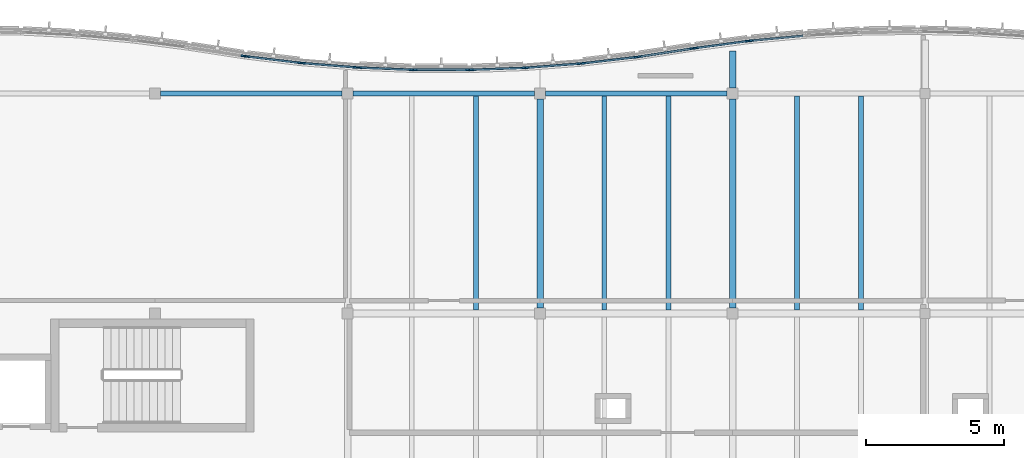
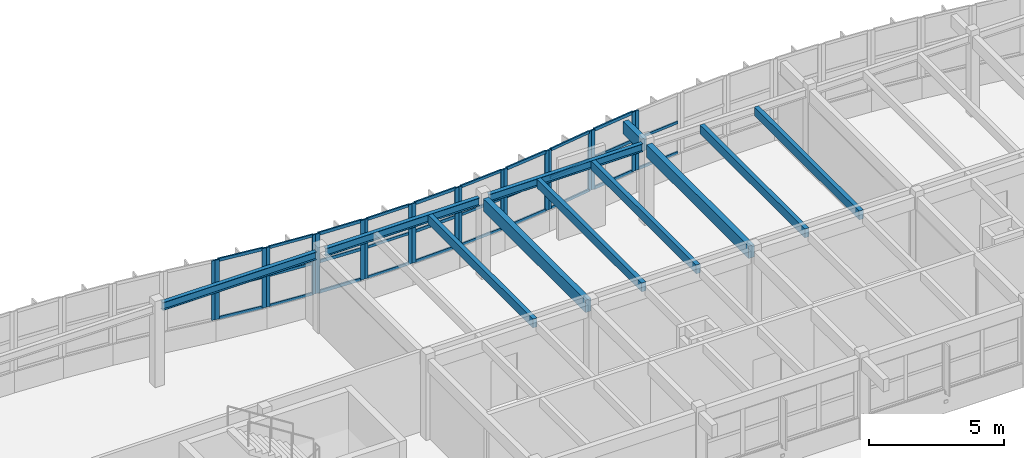
# One storey, part 25 of 63: 49 members, 11 beams, 11 elements without a shape of their own.
"""IFC4 building model written with IfcOpenShell, lengths in metres."""

from ifc_helpers import new_model, si_unit, direction, frame, origin, origin_2d, place, context, subcontext, project, spatial, rectangle, i_section, extrude, material, layer, layer_set, material_profile, profile_set, type_object, element, aggregate, save


model = new_model("IFC4")

# Units and contexts
model_context = context("Model", 3, precision=1e-05, world=origin(), true_north=direction((0.0, 1.0)))
body_context = subcontext(model_context, "Body", "Model", "MODEL_VIEW")
ifc_project = project(units=[si_unit("LENGTHUNIT", "METRE"), si_unit("AREAUNIT", "SQUARE_METRE"), si_unit("VOLUMEUNIT", "CUBIC_METRE"), si_unit("PLANEANGLEUNIT", "RADIAN"), si_unit("MASSUNIT", "GRAM", prefix="KILO")], contexts=[model_context])

# Site, building, storey
site_placement = place(None, origin())
site = spatial("IfcSite", under=ifc_project, at=site_placement, CompositionType="ELEMENT")
building_placement = place(site_placement, origin())
building = spatial("IfcBuilding", under=site, at=building_placement, Name="Tonlespit Floodbar School", CompositionType="ELEMENT")
storey_placement = place(building_placement, frame((0.0, 0.0, 8.39990234375)))
storey = spatial("IfcBuildingStorey", under=building, at=storey_placement, Name="L02", CompositionType="ELEMENT", Elevation=8.39990234375)

# Beams
ifc_material_1 = material(Name="Glulam GL28h", Category="wood")
ifc_material_profile_1 = material_profile(ifc_material_1, rectangle(XDim=0.239990234375, YDim=0.56005859375, at=origin_2d()), Name="GL 240x560")
ifc_profile_set_1 = profile_set([ifc_material_profile_1], Name="Glulam GL28h")
beam_type_1 = type_object("IfcBeamType", Name="Beam_GL_240x560", PredefinedType="BEAM", material=ifc_profile_set_1)
for number, where, z_axis, x_axis, name in (
    (1, (141.0, 112.199951171875, 3.364990234375), (0.0, 1.0, 0.0), (-1.0, 0.0, 0.0), "L02 girder 1051"),
    (2, (148.0, 112.199951171875, 3.364990234375), (0.0, 1.0, 0.0), (-1.0, 0.0, 0.0), "L02 girder 1053"),
):
    element("IfcBeam", number, at=place(storey_placement, frame(where, z_axis=z_axis, x_axis=x_axis)), inside=storey, type_object=beam_type_1, Name=name, PredefinedType="BEAM", context=body_context, shape_type="SweptSolid", body=[
        extrude(rectangle(XDim=0.239990234375, YDim=0.56005859375, at=origin_2d()), origin(), (0.0, 0.0, 1.0), 7.60009765625),
    ])
beam_placement = place(storey_placement, frame((148.0, 120.199951171875, 3.364990234375), z_axis=(0.0, 1.0, 0.0), x_axis=(-1.0, 0.0, 0.0)))
element("IfcBeam", 3, at=beam_placement, inside=storey, type_object=beam_type_1, Name="L02 north street wave cantilever bracket", PredefinedType="BEAM", context=body_context, shape_type="SweptSolid", body=[
    extrude(rectangle(XDim=0.239990234375, YDim=0.56005859375, at=origin_2d()), origin(), (0.0, 0.0, 1.0), 1.341552734375),
])

# Curtain wall, member
ifc_material_2 = material(Name="Anodised Aluminium", Category="aluminium")
ifc_layer_1 = layer(ifc_material_2, 0.159912109375)
ifc_layer_set_1 = layer_set([ifc_layer_1], Name="Anodised Aluminium")
curtain_wall_type_1 = type_object("IfcCurtainWallType", Name="CurtainWall_2000x2700", PredefinedType="NOTDEFINED", material=ifc_layer_set_1)
curtain_wall_1_placement = place(storey_placement, origin())
curtain_wall_1 = element("IfcCurtainWall", 4, at=curtain_wall_1_placement, inside=storey, type_object=curtain_wall_type_1, Name="L02 unitised curtain wall 0420", PredefinedType="NOTDEFINED")
ifc_material_profile_2 = material_profile(ifc_material_2, rectangle(XDim=0.06494140625, YDim=0.14990234375, at=origin_2d()), Name="ALU M65x150")
ifc_profile_set_2 = profile_set([ifc_material_profile_2], Name="Anodised Aluminium")
member_type_1 = type_object("IfcMemberType", Name="CW_Mullion_65x150", PredefinedType="MULLION", material=ifc_profile_set_2)
member_1_placement = place(storey_placement, frame((130.197509765625, 121.366943359375, 0.9501953125), z_axis=(0.0, 0.0, 1.0), x_axis=(0.153069003339, 0.988215502923, 0.0)))
member_1 = element("IfcMember", 5, at=member_1_placement, type_object=member_type_1, Name="CW-65 mullion 2", PredefinedType="MULLION", context=body_context, shape_type="SweptSolid", body=[
    extrude(rectangle(XDim=0.06494140625, YDim=0.14990234375, at=origin_2d()), origin(), (0.0, 0.0, 1.0), 2.699951171875),
])
aggregate(curtain_wall_1, [member_1])

# Curtain wall, members
ifc_layer_2 = layer(ifc_material_2, 0.159912109375)
ifc_layer_set_2 = layer_set([ifc_layer_2], Name="Anodised Aluminium")
curtain_wall_type_2 = type_object("IfcCurtainWallType", Name="CurtainWall_1950x2700", PredefinedType="NOTDEFINED", material=ifc_layer_set_2)
curtain_wall_2_placement = place(storey_placement, origin())
curtain_wall_2 = element("IfcCurtainWall", 6, at=curtain_wall_2_placement, inside=storey, type_object=curtain_wall_type_2, Name="L02 unitised curtain wall 0422", PredefinedType="NOTDEFINED")
member_2_placement = place(storey_placement, frame((132.3798828125, 121.104736328125, 0.9501953125), z_axis=(0.0, 0.0, 1.0), x_axis=(0.080303455856, 0.996770462533, 0.0)))
member_2 = element("IfcMember", 7, at=member_2_placement, type_object=member_type_1, Name="CW-04 mullion 1", PredefinedType="MULLION", context=body_context, shape_type="SweptSolid", body=[
    extrude(rectangle(XDim=0.06494140625, YDim=0.14990234375, at=origin_2d()), origin(), (0.0, 0.0, 1.0), 2.699951171875),
])
member_3_placement = place(storey_placement, frame((134.27392578125, 120.9521484375, 0.9501953125), z_axis=(0.0, 0.0, 1.0), x_axis=(0.080303455856, 0.996770462533, 0.0)))
member_3 = element("IfcMember", 8, at=member_3_placement, type_object=member_type_1, Name="CW-04 mullion 2", PredefinedType="MULLION", context=body_context, shape_type="SweptSolid", body=[
    extrude(rectangle(XDim=0.06494140625, YDim=0.14990234375, at=origin_2d()), origin(), (0.0, 0.0, 1.0), 2.699951171875),
])

curtain_wall_3_placement = place(storey_placement, origin())
curtain_wall_3 = element("IfcCurtainWall", 9, at=curtain_wall_3_placement, inside=storey, type_object=curtain_wall_type_2, Name="L02 unitised curtain wall 0424", PredefinedType="NOTDEFINED")
member_4_placement = place(storey_placement, frame((136.45703125, 120.8623046875, 0.9501953125), z_axis=(0.0, 0.0, 1.0), x_axis=(0.00178707909, 0.999998403173, 0.0)))
member_4 = element("IfcMember", 10, at=member_4_placement, type_object=member_type_1, Name="CW-04 mullion 1", PredefinedType="MULLION", context=body_context, shape_type="SweptSolid", body=[
    extrude(rectangle(XDim=0.06494140625, YDim=0.14990234375, at=origin_2d()), origin(), (0.0, 0.0, 1.0), 2.699951171875),
])
member_5_placement = place(storey_placement, frame((138.3505859375, 120.85888671875, 0.9501953125), z_axis=(0.0, 0.0, 1.0), x_axis=(0.00178707909, 0.999998403173, 0.0)))
member_5 = element("IfcMember", 11, at=member_5_placement, type_object=member_type_1, Name="CW-04 mullion 2", PredefinedType="MULLION", context=body_context, shape_type="SweptSolid", body=[
    extrude(rectangle(XDim=0.06494140625, YDim=0.14990234375, at=origin_2d()), origin(), (0.0, 0.0, 1.0), 2.699951171875),
])

curtain_wall_4_placement = place(storey_placement, origin())
curtain_wall_4 = element("IfcCurtainWall", 12, at=curtain_wall_4_placement, inside=storey, type_object=curtain_wall_type_2, Name="L02 unitised curtain wall 0426", PredefinedType="NOTDEFINED")
member_6_placement = place(storey_placement, frame((140.53369140625, 120.940673828125, 0.9501953125), z_axis=(0.0, 0.0, 1.0), x_axis=(-0.076509647633, 0.997068841063, 0.0)))
member_6 = element("IfcMember", 13, at=member_6_placement, type_object=member_type_1, Name="CW-04 mullion 1", PredefinedType="MULLION", context=body_context, shape_type="SweptSolid", body=[
    extrude(rectangle(XDim=0.06494140625, YDim=0.14990234375, at=origin_2d()), origin(), (0.0, 0.0, 1.0), 2.699951171875),
])
member_7_placement = place(storey_placement, frame((142.427734375, 121.0859375, 0.9501953125), z_axis=(0.0, 0.0, 1.0), x_axis=(-0.076509647633, 0.997068841063, 0.0)))
member_7 = element("IfcMember", 14, at=member_7_placement, type_object=member_type_1, Name="CW-04 mullion 2", PredefinedType="MULLION", context=body_context, shape_type="SweptSolid", body=[
    extrude(rectangle(XDim=0.06494140625, YDim=0.14990234375, at=origin_2d()), origin(), (0.0, 0.0, 1.0), 2.699951171875),
])

curtain_wall_5_placement = place(storey_placement, origin())
curtain_wall_5 = element("IfcCurtainWall", 15, at=curtain_wall_5_placement, inside=storey, type_object=curtain_wall_type_1, Name="L02 unitised curtain wall 0428", PredefinedType="NOTDEFINED")
member_8_placement = place(storey_placement, frame((144.610107421875, 121.340087890625, 0.9501953125), z_axis=(0.0, 0.0, 1.0), x_axis=(-0.151837325017, 0.988405497117, 0.0)))
member_8 = element("IfcMember", 16, at=member_8_placement, type_object=member_type_1, Name="CW-65 mullion 1", PredefinedType="MULLION", context=body_context, shape_type="SweptSolid", body=[
    extrude(rectangle(XDim=0.06494140625, YDim=0.14990234375, at=origin_2d()), origin(), (0.0, 0.0, 1.0), 2.699951171875),
])
member_9_placement = place(storey_placement, frame((146.50537109375, 121.63134765625, 0.9501953125), z_axis=(0.0, 0.0, 1.0), x_axis=(-0.151837325017, 0.988405497117, 0.0)))
member_9 = element("IfcMember", 17, at=member_9_placement, type_object=member_type_1, Name="CW-65 mullion 2", PredefinedType="MULLION", context=body_context, shape_type="SweptSolid", body=[
    extrude(rectangle(XDim=0.06494140625, YDim=0.14990234375, at=origin_2d()), origin(), (0.0, 0.0, 1.0), 2.699951171875),
])

# Curtain wall, member
curtain_wall_6_placement = place(storey_placement, origin())
curtain_wall_6 = element("IfcCurtainWall", 18, at=curtain_wall_6_placement, inside=storey, type_object=curtain_wall_type_2, Name="L02 unitised curtain wall 0430", PredefinedType="NOTDEFINED")
member_10_placement = place(storey_placement, frame((148.6875, 121.922119140625, 0.9501953125), z_axis=(0.0, 0.0, 1.0), x_axis=(-0.093624118246, 0.995607615721, 0.0)))
member_10 = element("IfcMember", 19, at=member_10_placement, type_object=member_type_1, Name="CW-04 mullion 1", PredefinedType="MULLION", context=body_context, shape_type="SweptSolid", body=[
    extrude(rectangle(XDim=0.06494140625, YDim=0.14990234375, at=origin_2d()), origin(), (0.0, 0.0, 1.0), 2.699951171875),
])

# Curtain wall, members
curtain_wall_7_placement = place(storey_placement, origin())
curtain_wall_7 = element("IfcCurtainWall", 20, at=curtain_wall_7_placement, inside=storey, type_object=curtain_wall_type_2, Name="L02 unitised curtain wall 0421", PredefinedType="NOTDEFINED")
ifc_material_profile_3 = material_profile(ifc_material_2, rectangle(XDim=0.06494140625, YDim=0.179931640625, at=origin_2d()), Name="ALU M65x180")
ifc_profile_set_3 = profile_set([ifc_material_profile_3], Name="Anodised Aluminium")
member_type_2 = type_object("IfcMemberType", Name="CW_Mullion_65x180", PredefinedType="MULLION", material=ifc_profile_set_3)
member_11_placement = place(storey_placement, frame((130.341064453125, 121.34716796875, 0.9501953125), z_axis=(0.0, 0.0, 1.0), x_axis=(0.119448965651, 0.992840341951, 0.0)))
member_11 = element("IfcMember", 21, at=member_11_placement, type_object=member_type_2, Name="CW-04 mullion 1", PredefinedType="MULLION", context=body_context, shape_type="SweptSolid", body=[
    extrude(rectangle(XDim=0.06494140625, YDim=0.179931640625, at=origin_2d()), origin(), (0.0, 0.0, 1.0), 2.699951171875),
])
member_12_placement = place(storey_placement, frame((132.23583984375, 121.119140625, 0.9501953125), z_axis=(0.0, 0.0, 1.0), x_axis=(0.119448965651, 0.992840341951, 0.0)))
member_12 = element("IfcMember", 22, at=member_12_placement, type_object=member_type_2, Name="CW-04 mullion 2", PredefinedType="MULLION", context=body_context, shape_type="SweptSolid", body=[
    extrude(rectangle(XDim=0.06494140625, YDim=0.179931640625, at=origin_2d()), origin(), (0.0, 0.0, 1.0), 2.699951171875),
])

curtain_wall_8_placement = place(storey_placement, origin())
curtain_wall_8 = element("IfcCurtainWall", 23, at=curtain_wall_8_placement, inside=storey, type_object=curtain_wall_type_2, Name="L02 unitised curtain wall 0423", PredefinedType="NOTDEFINED")
member_13_placement = place(storey_placement, frame((134.418701171875, 120.943359375, 0.9501953125), z_axis=(0.0, 0.0, 1.0), x_axis=(0.041121234506, 0.999154164317, 0.0)))
member_13 = element("IfcMember", 24, at=member_13_placement, type_object=member_type_2, Name="CW-04 mullion 1", PredefinedType="MULLION", context=body_context, shape_type="SweptSolid", body=[
    extrude(rectangle(XDim=0.06494140625, YDim=0.179931640625, at=origin_2d()), origin(), (0.0, 0.0, 1.0), 2.699951171875),
])
member_14_placement = place(storey_placement, frame((136.31201171875, 120.865478515625, 0.9501953125), z_axis=(0.0, 0.0, 1.0), x_axis=(0.041121234506, 0.999154164317, 0.0)))
member_14 = element("IfcMember", 25, at=member_14_placement, type_object=member_type_2, Name="CW-04 mullion 2", PredefinedType="MULLION", context=body_context, shape_type="SweptSolid", body=[
    extrude(rectangle(XDim=0.06494140625, YDim=0.179931640625, at=origin_2d()), origin(), (0.0, 0.0, 1.0), 2.699951171875),
])

curtain_wall_9_placement = place(storey_placement, origin())
curtain_wall_9 = element("IfcCurtainWall", 26, at=curtain_wall_9_placement, inside=storey, type_object=curtain_wall_type_2, Name="L02 unitised curtain wall 0425", PredefinedType="NOTDEFINED")
member_15_placement = place(storey_placement, frame((138.49560546875, 120.861572265625, 0.9501953125), z_axis=(0.0, 0.0, 1.0), x_axis=(-0.037351368782, 0.999302194159, 0.0)))
member_15 = element("IfcMember", 27, at=member_15_placement, type_object=member_type_2, Name="CW-04 mullion 1", PredefinedType="MULLION", context=body_context, shape_type="SweptSolid", body=[
    extrude(rectangle(XDim=0.06494140625, YDim=0.179931640625, at=origin_2d()), origin(), (0.0, 0.0, 1.0), 2.699951171875),
])
member_16_placement = place(storey_placement, frame((140.388916015625, 120.932373046875, 0.9501953125), z_axis=(0.0, 0.0, 1.0), x_axis=(-0.037351368782, 0.999302194159, 0.0)))
member_16 = element("IfcMember", 28, at=member_16_placement, type_object=member_type_2, Name="CW-04 mullion 2", PredefinedType="MULLION", context=body_context, shape_type="SweptSolid", body=[
    extrude(rectangle(XDim=0.06494140625, YDim=0.179931640625, at=origin_2d()), origin(), (0.0, 0.0, 1.0), 2.699951171875),
])

curtain_wall_10_placement = place(storey_placement, origin())
curtain_wall_10 = element("IfcCurtainWall", 29, at=curtain_wall_10_placement, inside=storey, type_object=curtain_wall_type_2, Name="L02 unitised curtain wall 0427", PredefinedType="NOTDEFINED")
member_17_placement = place(storey_placement, frame((142.572021484375, 121.099853515625, 0.9501953125), z_axis=(0.0, 0.0, 1.0), x_axis=(-0.115799834112, 0.993272570053, 0.0)))
member_17 = element("IfcMember", 30, at=member_17_placement, type_object=member_type_2, Name="CW-04 mullion 1", PredefinedType="MULLION", context=body_context, shape_type="SweptSolid", body=[
    extrude(rectangle(XDim=0.06494140625, YDim=0.179931640625, at=origin_2d()), origin(), (0.0, 0.0, 1.0), 2.699951171875),
])
member_18_placement = place(storey_placement, frame((144.466552734375, 121.32080078125, 0.9501953125), z_axis=(0.0, 0.0, 1.0), x_axis=(-0.115799834112, 0.993272570053, 0.0)))
member_18 = element("IfcMember", 31, at=member_18_placement, type_object=member_type_2, Name="CW-04 mullion 2", PredefinedType="MULLION", context=body_context, shape_type="SweptSolid", body=[
    extrude(rectangle(XDim=0.06494140625, YDim=0.179931640625, at=origin_2d()), origin(), (0.0, 0.0, 1.0), 2.699951171875),
])

curtain_wall_11_placement = place(storey_placement, origin())
curtain_wall_11 = element("IfcCurtainWall", 32, at=curtain_wall_11_placement, inside=storey, type_object=curtain_wall_type_1, Name="L02 unitised curtain wall 0429", PredefinedType="NOTDEFINED")
member_19_placement = place(storey_placement, frame((146.648681640625, 121.65185546875, 0.9501953125), z_axis=(0.0, 0.0, 1.0), x_axis=(-0.132789951994, 0.991144201743, 0.0)))
member_19 = element("IfcMember", 33, at=member_19_placement, type_object=member_type_2, Name="CW-65 mullion 1", PredefinedType="MULLION", context=body_context, shape_type="SweptSolid", body=[
    extrude(rectangle(XDim=0.06494140625, YDim=0.179931640625, at=origin_2d()), origin(), (0.0, 0.0, 1.0), 2.699951171875),
])
member_20_placement = place(storey_placement, frame((148.543701171875, 121.90576171875, 0.9501953125), z_axis=(0.0, 0.0, 1.0), x_axis=(-0.132789951994, 0.991144201743, 0.0)))
member_20 = element("IfcMember", 34, at=member_20_placement, type_object=member_type_2, Name="CW-65 mullion 2", PredefinedType="MULLION", context=body_context, shape_type="SweptSolid", body=[
    extrude(rectangle(XDim=0.06494140625, YDim=0.179931640625, at=origin_2d()), origin(), (0.0, 0.0, 1.0), 2.699951171875),
])

# Member
ifc_material_profile_4 = material_profile(ifc_material_2, rectangle(XDim=0.06494140625, YDim=0.1201171875, at=origin_2d()), Name="ALU T65x120")
ifc_profile_set_4 = profile_set([ifc_material_profile_4], Name="Anodised Aluminium")
member_type_3 = type_object("IfcMemberType", Name="CW_Transom_65x120", PredefinedType="USERDEFINED", material=ifc_profile_set_4)
member_21_placement = place(storey_placement, frame((132.412353515625, 121.10205078125, 0.982666015625), z_axis=(0.996776665923, -0.080226418787, 0.0), x_axis=(0.080226418787, 0.996776665923, 0.0)))
member_21 = element("IfcMember", 35, at=member_21_placement, type_object=member_type_3, Name="CW-04 transom 1.1", ObjectType="TRANSOM", PredefinedType="USERDEFINED", context=body_context, shape_type="SweptSolid", body=[
    extrude(rectangle(XDim=0.06494140625, YDim=0.1201171875, at=origin_2d()), origin(), (0.0, 0.0, 1.0), 1.8349609375),
])

member_22_placement = place(storey_placement, frame((132.412353515625, 121.10205078125, 2.35400390625), z_axis=(0.996776665923, -0.080226418787, 0.0), x_axis=(0.080226418787, 0.996776665923, 0.0)))
member_22 = element("IfcMember", 36, at=member_22_placement, type_object=member_type_3, Name="CW-04 transom 1.2", ObjectType="TRANSOM", PredefinedType="USERDEFINED", context=body_context, shape_type="SweptSolid", body=[
    extrude(rectangle(XDim=0.06494140625, YDim=0.1201171875, at=origin_2d()), origin(), (0.0, 0.0, 1.0), 1.8349609375),
])

member_23_placement = place(storey_placement, frame((132.412353515625, 121.10205078125, 3.61767578125), z_axis=(0.996776665923, -0.080226418787, 0.0), x_axis=(0.080226418787, 0.996776665923, 0.0)))
member_23 = element("IfcMember", 37, at=member_23_placement, type_object=member_type_3, Name="CW-04 transom 1.3", ObjectType="TRANSOM", PredefinedType="USERDEFINED", context=body_context, shape_type="SweptSolid", body=[
    extrude(rectangle(XDim=0.06494140625, YDim=0.1201171875, at=origin_2d()), origin(), (0.0, 0.0, 1.0), 1.8349609375),
])

aggregate(curtain_wall_2, [member_2, member_3, member_21, member_22, member_23])

member_24_placement = place(storey_placement, frame((136.489501953125, 120.8623046875, 0.982666015625), z_axis=(0.999998493767, -0.001735644916, 0.0), x_axis=(0.001735644916, 0.999998493767, 0.0)))
member_24 = element("IfcMember", 38, at=member_24_placement, type_object=member_type_3, Name="CW-04 transom 1.1", ObjectType="TRANSOM", PredefinedType="USERDEFINED", context=body_context, shape_type="SweptSolid", body=[
    extrude(rectangle(XDim=0.06494140625, YDim=0.1201171875, at=origin_2d()), origin(), (0.0, 0.0, 1.0), 1.82861328125),
])

member_25_placement = place(storey_placement, frame((136.489501953125, 120.8623046875, 2.35400390625), z_axis=(0.999998493767, -0.001735644916, 0.0), x_axis=(0.001735644916, 0.999998493767, 0.0)))
member_25 = element("IfcMember", 39, at=member_25_placement, type_object=member_type_3, Name="CW-04 transom 1.2", ObjectType="TRANSOM", PredefinedType="USERDEFINED", context=body_context, shape_type="SweptSolid", body=[
    extrude(rectangle(XDim=0.06494140625, YDim=0.1201171875, at=origin_2d()), origin(), (0.0, 0.0, 1.0), 1.82861328125),
])

member_26_placement = place(storey_placement, frame((136.489501953125, 120.8623046875, 3.61767578125), z_axis=(0.999998493767, -0.001735644916, 0.0), x_axis=(0.001735644916, 0.999998493767, 0.0)))
member_26 = element("IfcMember", 40, at=member_26_placement, type_object=member_type_3, Name="CW-04 transom 1.3", ObjectType="TRANSOM", PredefinedType="USERDEFINED", context=body_context, shape_type="SweptSolid", body=[
    extrude(rectangle(XDim=0.06494140625, YDim=0.1201171875, at=origin_2d()), origin(), (0.0, 0.0, 1.0), 1.82861328125),
])

aggregate(curtain_wall_3, [member_4, member_5, member_24, member_25, member_26])

member_27_placement = place(storey_placement, frame((140.566162109375, 120.943115234375, 0.982666015625), z_axis=(0.997067778924, 0.076523488105, 0.0), x_axis=(-0.076523488105, 0.997067778924, 0.0)))
member_27 = element("IfcMember", 41, at=member_27_placement, type_object=member_type_3, Name="CW-04 transom 1.1", ObjectType="TRANSOM", PredefinedType="USERDEFINED", context=body_context, shape_type="SweptSolid", body=[
    extrude(rectangle(XDim=0.06494140625, YDim=0.1201171875, at=origin_2d()), origin(), (0.0, 0.0, 1.0), 1.83447265625),
])

member_28_placement = place(storey_placement, frame((140.566162109375, 120.943115234375, 2.35400390625), z_axis=(0.997067778924, 0.076523488105, 0.0), x_axis=(-0.076523488105, 0.997067778924, 0.0)))
member_28 = element("IfcMember", 42, at=member_28_placement, type_object=member_type_3, Name="CW-04 transom 1.2", ObjectType="TRANSOM", PredefinedType="USERDEFINED", context=body_context, shape_type="SweptSolid", body=[
    extrude(rectangle(XDim=0.06494140625, YDim=0.1201171875, at=origin_2d()), origin(), (0.0, 0.0, 1.0), 1.83447265625),
])

member_29_placement = place(storey_placement, frame((140.566162109375, 120.943115234375, 3.61767578125), z_axis=(0.997067778924, 0.076523488105, 0.0), x_axis=(-0.076523488105, 0.997067778924, 0.0)))
member_29 = element("IfcMember", 43, at=member_29_placement, type_object=member_type_3, Name="CW-04 transom 1.3", ObjectType="TRANSOM", PredefinedType="USERDEFINED", context=body_context, shape_type="SweptSolid", body=[
    extrude(rectangle(XDim=0.06494140625, YDim=0.1201171875, at=origin_2d()), origin(), (0.0, 0.0, 1.0), 1.83447265625),
])

aggregate(curtain_wall_4, [member_6, member_7, member_27, member_28, member_29])

member_30_placement = place(storey_placement, frame((144.642333984375, 121.344970703125, 0.982666015625), z_axis=(0.988405196274, 0.151839283385, 0.0), x_axis=(-0.151839283385, 0.988405196274, 0.0)))
member_30 = element("IfcMember", 44, at=member_30_placement, type_object=member_type_3, Name="CW-65 transom 1.1", ObjectType="TRANSOM", PredefinedType="USERDEFINED", context=body_context, shape_type="SweptSolid", body=[
    extrude(rectangle(XDim=0.06494140625, YDim=0.1201171875, at=origin_2d()), origin(), (0.0, 0.0, 1.0), 1.852294921875),
])

member_31_placement = place(storey_placement, frame((144.642333984375, 121.344970703125, 2.35400390625), z_axis=(0.988405196274, 0.151839283385, 0.0), x_axis=(-0.151839283385, 0.988405196274, 0.0)))
member_31 = element("IfcMember", 45, at=member_31_placement, type_object=member_type_3, Name="CW-65 transom 1.2", ObjectType="TRANSOM", PredefinedType="USERDEFINED", context=body_context, shape_type="SweptSolid", body=[
    extrude(rectangle(XDim=0.06494140625, YDim=0.1201171875, at=origin_2d()), origin(), (0.0, 0.0, 1.0), 1.852294921875),
])

member_32_placement = place(storey_placement, frame((144.642333984375, 121.344970703125, 3.61767578125), z_axis=(0.988405196274, 0.151839283385, 0.0), x_axis=(-0.151839283385, 0.988405196274, 0.0)))
member_32 = element("IfcMember", 46, at=member_32_placement, type_object=member_type_3, Name="CW-65 transom 1.3", ObjectType="TRANSOM", PredefinedType="USERDEFINED", context=body_context, shape_type="SweptSolid", body=[
    extrude(rectangle(XDim=0.06494140625, YDim=0.1201171875, at=origin_2d()), origin(), (0.0, 0.0, 1.0), 1.852294921875),
])

aggregate(curtain_wall_5, [member_8, member_9, member_30, member_31, member_32])

member_33_placement = place(storey_placement, frame((148.719970703125, 121.92529296875, 0.982666015625), z_axis=(0.995615297315, 0.093542395477, 0.0), x_axis=(-0.093542395477, 0.995615297315, 0.0)))
member_33 = element("IfcMember", 47, at=member_33_placement, type_object=member_type_3, Name="CW-04 transom 1.1", ObjectType="TRANSOM", PredefinedType="USERDEFINED", context=body_context, shape_type="SweptSolid", body=[
    extrude(rectangle(XDim=0.06494140625, YDim=0.1201171875, at=origin_2d()), origin(), (0.0, 0.0, 1.0), 1.83740234375),
])

member_34_placement = place(storey_placement, frame((148.719970703125, 121.92529296875, 2.35400390625), z_axis=(0.995615297315, 0.093542395477, 0.0), x_axis=(-0.093542395477, 0.995615297315, 0.0)))
member_34 = element("IfcMember", 48, at=member_34_placement, type_object=member_type_3, Name="CW-04 transom 1.2", ObjectType="TRANSOM", PredefinedType="USERDEFINED", context=body_context, shape_type="SweptSolid", body=[
    extrude(rectangle(XDim=0.06494140625, YDim=0.1201171875, at=origin_2d()), origin(), (0.0, 0.0, 1.0), 1.83740234375),
])

aggregate(curtain_wall_6, [member_10, member_33, member_34])

ifc_material_profile_5 = material_profile(ifc_material_2, rectangle(XDim=0.06494140625, YDim=0.139892578125, at=origin_2d()), Name="ALU T65x140")
ifc_profile_set_5 = profile_set([ifc_material_profile_5], Name="Anodised Aluminium")
member_type_4 = type_object("IfcMemberType", Name="CW_Transom_65x140", PredefinedType="USERDEFINED", material=ifc_profile_set_5)
member_35_placement = place(storey_placement, frame((130.37353515625, 121.34326171875, 0.982666015625), z_axis=(0.9928360376, -0.11948473728, 0.0), x_axis=(0.11948473728, 0.9928360376, 0.0)))
member_35 = element("IfcMember", 49, at=member_35_placement, type_object=member_type_4, Name="CW-04 transom 1.1", ObjectType="TRANSOM", PredefinedType="USERDEFINED", context=body_context, shape_type="SweptSolid", body=[
    extrude(rectangle(XDim=0.06494140625, YDim=0.139892578125, at=origin_2d()), origin(), (0.0, 0.0, 1.0), 1.843017578125),
])

member_36_placement = place(storey_placement, frame((130.37353515625, 121.34326171875, 2.35400390625), z_axis=(0.9928360376, -0.11948473728, 0.0), x_axis=(0.11948473728, 0.9928360376, 0.0)))
member_36 = element("IfcMember", 50, at=member_36_placement, type_object=member_type_4, Name="CW-04 transom 1.2", ObjectType="TRANSOM", PredefinedType="USERDEFINED", context=body_context, shape_type="SweptSolid", body=[
    extrude(rectangle(XDim=0.06494140625, YDim=0.139892578125, at=origin_2d()), origin(), (0.0, 0.0, 1.0), 1.843017578125),
])

member_37_placement = place(storey_placement, frame((130.37353515625, 121.34326171875, 3.61767578125), z_axis=(0.9928360376, -0.11948473728, 0.0), x_axis=(0.11948473728, 0.9928360376, 0.0)))
member_37 = element("IfcMember", 51, at=member_37_placement, type_object=member_type_4, Name="CW-04 transom 1.3", ObjectType="TRANSOM", PredefinedType="USERDEFINED", context=body_context, shape_type="SweptSolid", body=[
    extrude(rectangle(XDim=0.06494140625, YDim=0.139892578125, at=origin_2d()), origin(), (0.0, 0.0, 1.0), 1.843017578125),
])

aggregate(curtain_wall_7, [member_11, member_12, member_35, member_36, member_37])

member_38_placement = place(storey_placement, frame((134.451171875, 120.942138671875, 0.982666015625), z_axis=(0.999149870245, -0.041225438631, 0.0), x_axis=(0.041225438631, 0.999149870245, 0.0)))
member_38 = element("IfcMember", 52, at=member_38_placement, type_object=member_type_4, Name="CW-04 transom 1.1", ObjectType="TRANSOM", PredefinedType="USERDEFINED", context=body_context, shape_type="SweptSolid", body=[
    extrude(rectangle(XDim=0.06494140625, YDim=0.139892578125, at=origin_2d()), origin(), (0.0, 0.0, 1.0), 1.829833984375),
])

member_39_placement = place(storey_placement, frame((134.451171875, 120.942138671875, 2.35400390625), z_axis=(0.999149870245, -0.041225438631, 0.0), x_axis=(0.041225438631, 0.999149870245, 0.0)))
member_39 = element("IfcMember", 53, at=member_39_placement, type_object=member_type_4, Name="CW-04 transom 1.2", ObjectType="TRANSOM", PredefinedType="USERDEFINED", context=body_context, shape_type="SweptSolid", body=[
    extrude(rectangle(XDim=0.06494140625, YDim=0.139892578125, at=origin_2d()), origin(), (0.0, 0.0, 1.0), 1.829833984375),
])

member_40_placement = place(storey_placement, frame((134.451171875, 120.942138671875, 3.61767578125), z_axis=(0.999149870245, -0.041225438631, 0.0), x_axis=(0.041225438631, 0.999149870245, 0.0)))
member_40 = element("IfcMember", 54, at=member_40_placement, type_object=member_type_4, Name="CW-04 transom 1.3", ObjectType="TRANSOM", PredefinedType="USERDEFINED", context=body_context, shape_type="SweptSolid", body=[
    extrude(rectangle(XDim=0.06494140625, YDim=0.139892578125, at=origin_2d()), origin(), (0.0, 0.0, 1.0), 1.829833984375),
])

aggregate(curtain_wall_8, [member_13, member_14, member_38, member_39, member_40])

member_41_placement = place(storey_placement, frame((138.528076171875, 120.86279296875, 0.982666015625), z_axis=(0.999301794316, 0.037362064683, 0.0), x_axis=(-0.037362064683, 0.999301794316, 0.0)))
member_41 = element("IfcMember", 55, at=member_41_placement, type_object=member_type_4, Name="CW-04 transom 1.1", ObjectType="TRANSOM", PredefinedType="USERDEFINED", context=body_context, shape_type="SweptSolid", body=[
    extrude(rectangle(XDim=0.06494140625, YDim=0.139892578125, at=origin_2d()), origin(), (0.0, 0.0, 1.0), 1.82958984375),
])

member_42_placement = place(storey_placement, frame((138.528076171875, 120.86279296875, 2.35400390625), z_axis=(0.999301794316, 0.037362064683, 0.0), x_axis=(-0.037362064683, 0.999301794316, 0.0)))
member_42 = element("IfcMember", 56, at=member_42_placement, type_object=member_type_4, Name="CW-04 transom 1.2", ObjectType="TRANSOM", PredefinedType="USERDEFINED", context=body_context, shape_type="SweptSolid", body=[
    extrude(rectangle(XDim=0.06494140625, YDim=0.139892578125, at=origin_2d()), origin(), (0.0, 0.0, 1.0), 1.82958984375),
])

member_43_placement = place(storey_placement, frame((138.528076171875, 120.86279296875, 3.61767578125), z_axis=(0.999301794316, 0.037362064683, 0.0), x_axis=(-0.037362064683, 0.999301794316, 0.0)))
member_43 = element("IfcMember", 57, at=member_43_placement, type_object=member_type_4, Name="CW-04 transom 1.3", ObjectType="TRANSOM", PredefinedType="USERDEFINED", context=body_context, shape_type="SweptSolid", body=[
    extrude(rectangle(XDim=0.06494140625, YDim=0.139892578125, at=origin_2d()), origin(), (0.0, 0.0, 1.0), 1.82958984375),
])

aggregate(curtain_wall_9, [member_15, member_16, member_41, member_42, member_43])

member_44_placement = place(storey_placement, frame((142.604248046875, 121.103515625, 0.982666015625), z_axis=(0.993271270795, 0.115810977945, 0.0), x_axis=(-0.115810977945, 0.993271270795, 0.0)))
member_44 = element("IfcMember", 58, at=member_44_placement, type_object=member_type_4, Name="CW-04 transom 1.1", ObjectType="TRANSOM", PredefinedType="USERDEFINED", context=body_context, shape_type="SweptSolid", body=[
    extrude(rectangle(XDim=0.06494140625, YDim=0.139892578125, at=origin_2d()), origin(), (0.0, 0.0, 1.0), 1.842529296875),
])

member_45_placement = place(storey_placement, frame((142.604248046875, 121.103515625, 2.35400390625), z_axis=(0.993271270795, 0.115810977945, 0.0), x_axis=(-0.115810977945, 0.993271270795, 0.0)))
member_45 = element("IfcMember", 59, at=member_45_placement, type_object=member_type_4, Name="CW-04 transom 1.2", ObjectType="TRANSOM", PredefinedType="USERDEFINED", context=body_context, shape_type="SweptSolid", body=[
    extrude(rectangle(XDim=0.06494140625, YDim=0.139892578125, at=origin_2d()), origin(), (0.0, 0.0, 1.0), 1.842529296875),
])

member_46_placement = place(storey_placement, frame((142.604248046875, 121.103515625, 3.61767578125), z_axis=(0.993271270795, 0.115810977945, 0.0), x_axis=(-0.115810977945, 0.993271270795, 0.0)))
member_46 = element("IfcMember", 60, at=member_46_placement, type_object=member_type_4, Name="CW-04 transom 1.3", ObjectType="TRANSOM", PredefinedType="USERDEFINED", context=body_context, shape_type="SweptSolid", body=[
    extrude(rectangle(XDim=0.06494140625, YDim=0.139892578125, at=origin_2d()), origin(), (0.0, 0.0, 1.0), 1.842529296875),
])

aggregate(curtain_wall_10, [member_17, member_18, member_44, member_45, member_46])

member_47_placement = place(storey_placement, frame((146.680908203125, 121.65625, 0.982666015625), z_axis=(0.991153858424, 0.132717854609, 0.0), x_axis=(-0.132717854609, 0.991153858424, 0.0)))
member_47 = element("IfcMember", 61, at=member_47_placement, type_object=member_type_4, Name="CW-65 transom 1.1", ObjectType="TRANSOM", PredefinedType="USERDEFINED", context=body_context, shape_type="SweptSolid", body=[
    extrude(rectangle(XDim=0.06494140625, YDim=0.139892578125, at=origin_2d()), origin(), (0.0, 0.0, 1.0), 1.846923828125),
])

member_48_placement = place(storey_placement, frame((146.680908203125, 121.65625, 2.35400390625), z_axis=(0.991153858424, 0.132717854609, 0.0), x_axis=(-0.132717854609, 0.991153858424, 0.0)))
member_48 = element("IfcMember", 62, at=member_48_placement, type_object=member_type_4, Name="CW-65 transom 1.2", ObjectType="TRANSOM", PredefinedType="USERDEFINED", context=body_context, shape_type="SweptSolid", body=[
    extrude(rectangle(XDim=0.06494140625, YDim=0.139892578125, at=origin_2d()), origin(), (0.0, 0.0, 1.0), 1.846923828125),
])

member_49_placement = place(storey_placement, frame((146.680908203125, 121.65625, 3.61767578125), z_axis=(0.991153858424, 0.132717854609, 0.0), x_axis=(-0.132717854609, 0.991153858424, 0.0)))
member_49 = element("IfcMember", 63, at=member_49_placement, type_object=member_type_4, Name="CW-65 transom 1.3", ObjectType="TRANSOM", PredefinedType="USERDEFINED", context=body_context, shape_type="SweptSolid", body=[
    extrude(rectangle(XDim=0.06494140625, YDim=0.139892578125, at=origin_2d()), origin(), (0.0, 0.0, 1.0), 1.846923828125),
])

aggregate(curtain_wall_11, [member_19, member_20, member_47, member_48, member_49])

# Beams
ifc_material_profile_6 = material_profile(ifc_material_1, rectangle(XDim=0.179931640625, YDim=0.39990234375, at=origin_2d()), Name="GL 180x400")
ifc_profile_set_6 = profile_set([ifc_material_profile_6], Name="Glulam GL28h")
beam_type_2 = type_object("IfcBeamType", Name="Joist_GL_180x400", PredefinedType="JOIST", material=ifc_profile_set_6)
for number, where, z_axis, x_axis, name in (
    (64, (138.666748046875, 112.1201171875, 3.445068359375), (0.0, 1.0, 0.0), (-1.0, 0.0, 0.0), "L02 secondary joist 1134"),
    (65, (143.333251953125, 112.1201171875, 3.445068359375), (0.0, 1.0, 0.0), (-1.0, 0.0, 0.0), "L02 secondary joist 1135"),
    (66, (145.666748046875, 112.1201171875, 3.445068359375), (0.0, 1.0, 0.0), (-1.0, 0.0, 0.0), "L02 secondary joist 1136"),
    (67, (150.333251953125, 112.1201171875, 3.445068359375), (0.0, 1.0, 0.0), (-1.0, 0.0, 0.0), "L02 secondary joist 1137"),
    (68, (152.666748046875, 112.1201171875, 3.445068359375), (0.0, 1.0, 0.0), (-1.0, 0.0, 0.0), "L02 secondary joist 1138"),
):
    element("IfcBeam", number, at=place(storey_placement, frame(where, z_axis=z_axis, x_axis=x_axis)), inside=storey, type_object=beam_type_2, Name=name, PredefinedType="JOIST", context=body_context, shape_type="SweptSolid", body=[
        extrude(rectangle(XDim=0.179931640625, YDim=0.39990234375, at=origin_2d()), origin(), (0.0, 0.0, 1.0), 7.794921875),
    ])
ifc_material_3 = material(Name="Steel S355", Category="steel")
ifc_material_profile_7 = material_profile(ifc_material_3, i_section(OverallWidth=0.169921875, OverallDepth=0.360107421875, WebThickness=0.008056640625, FlangeThickness=0.0126953125, at=origin_2d()), Name="IPE 360")
ifc_profile_set_7 = profile_set([ifc_material_profile_7], Name="Steel S355")
beam_type_3 = type_object("IfcBeamType", Name="Spandrel_STL_IPE360", PredefinedType="SPANDREL", material=ifc_profile_set_7)
for number, where, z_axis, x_axis, name in (
    (69, (127.199951171875, 120.0, 3.465087890625), (1.0, 0.0, 0.0), (0.0, 1.0, 0.0), "L02 girder 0992"),
    (70, (134.199951171875, 120.0, 3.465087890625), (1.0, 0.0, 0.0), (0.0, 1.0, 0.0), "L02 girder 0993"),
    (71, (141.199951171875, 120.0, 3.465087890625), (1.0, 0.0, 0.0), (0.0, 1.0, 0.0), "L02 girder 0994"),
):
    element("IfcBeam", number, at=place(storey_placement, frame(where, z_axis=z_axis, x_axis=x_axis)), inside=storey, type_object=beam_type_3, Name=name, PredefinedType="SPANDREL", context=body_context, shape_type="SweptSolid", body=[
        extrude(i_section(OverallWidth=0.169921875, OverallDepth=0.360107421875, WebThickness=0.008056640625, FlangeThickness=0.0126953125, at=origin_2d()), origin(), (0.0, 0.0, 1.0), 6.60009765625),
    ])

save(model, "model.ifc")
